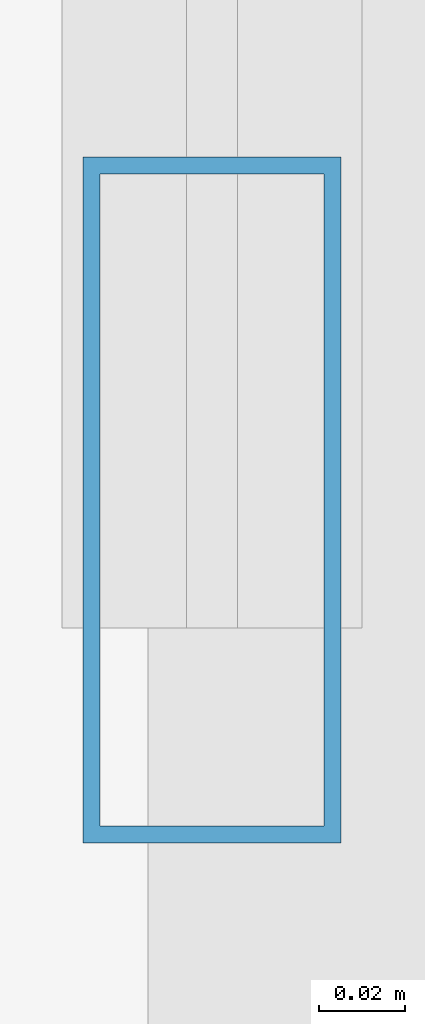
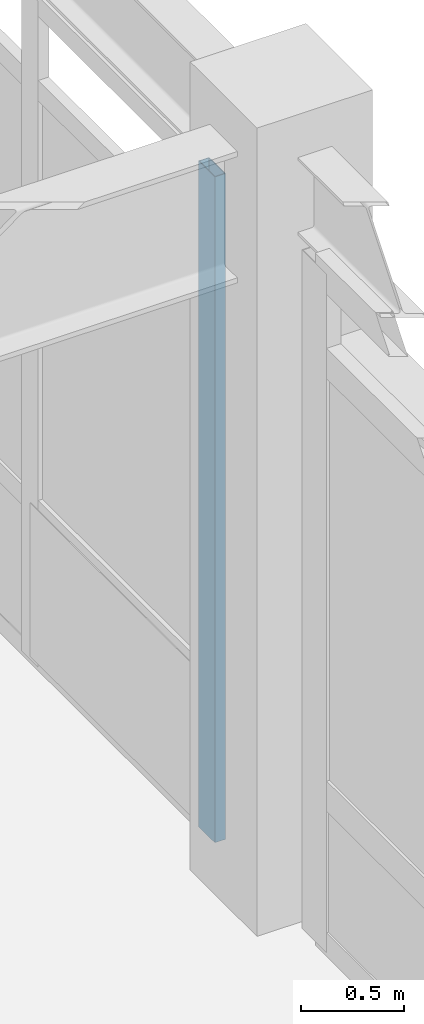
# One storey, part 150 of 200: 1 member, 1 element without a shape of its own.
"""IFC4 building model written with IfcOpenShell, lengths in metres."""

from ifc_helpers import new_model, si_unit, direction, frame, origin, origin_2d, place, context, subcontext, project, spatial, hollow_rectangle, extrude, material, material_profile, profile_set, type_object, element, aggregate, save


model = new_model("IFC4")

# Units and contexts
model_context = context("Model", 3, precision=1e-05, world=origin(), true_north=direction((0.0, 1.0)))
body_context = subcontext(model_context, "Body", "Model", "MODEL_VIEW")
ifc_project = project(units=[si_unit("LENGTHUNIT", "METRE"), si_unit("AREAUNIT", "SQUARE_METRE"), si_unit("VOLUMEUNIT", "CUBIC_METRE"), si_unit("PLANEANGLEUNIT", "RADIAN"), si_unit("MASSUNIT", "GRAM", prefix="KILO"), si_unit("THERMODYNAMICTEMPERATUREUNIT", "KELVIN"), si_unit("POWERUNIT", "WATT")], contexts=[model_context])

# Site, building, storey
site_placement = place(None, origin())
site = spatial("IfcSite", under=ifc_project, at=site_placement, CompositionType="ELEMENT")
building_placement = place(site_placement, origin())
building = spatial("IfcBuilding", under=site, at=building_placement, Name="Tepalcoro Natatorium and Aquatics Centre", CompositionType="ELEMENT")
storey_placement = place(building_placement, frame((0.0, 0.0, 5.39990234375)))
storey = spatial("IfcBuildingStorey", under=building, at=storey_placement, Name="L01", CompositionType="ELEMENT", Elevation=5.39990234375)

# Curtain wall, member
ifc_material = material(Name="Bronze-Anodised Extruded Aluminium Alloy EN AW-6063 T6", Category="aluminium")
curtain_wall_type = type_object("IfcCurtainWallType", Name="CW_V1_PLINTH", PredefinedType="USERDEFINED", material=ifc_material)
curtain_wall_placement = place(storey_placement, origin())
curtain_wall = element("IfcCurtainWall", 1, at=curtain_wall_placement, inside=storey, type_object=curtain_wall_type, Name="V5 L01 E Unitised Curtain Wall Bay 4", ObjectType="UNITISED STOREFRONT", PredefinedType="USERDEFINED")
ifc_material_profile = material_profile(ifc_material, hollow_rectangle(XDim=0.06005859375, YDim=0.159912109375, WallThickness=0.00390625, at=origin_2d()), Name="AL60X160X4")
ifc_profile_set = profile_set([ifc_material_profile], Name="Bronze-Anodised Extruded Aluminium Alloy EN AW-6063 T6")
member_type = type_object("IfcMemberType", Name="CW_MUL_60x160", PredefinedType="MULLION", material=ifc_profile_set)
member_placement = place(storey_placement, frame((175.909912109375, 110.52001953125, 0.02001953125), z_axis=(0.0, 0.0, 1.0), x_axis=(1.0, 0.0, 0.0)))
member = element("IfcMember", 2, at=member_placement, type_object=member_type, Name="CW_V1_PLINTH Curtain Wall Mullion", PredefinedType="MULLION", context=body_context, shape_type="SweptSolid", body=[
    extrude(hollow_rectangle(XDim=0.06005859375, YDim=0.159912109375, WallThickness=0.00390625, at=origin_2d()), origin(), (0.0, 0.0, 1.0), 3.9541015625),
])
aggregate(curtain_wall, [member])

save(model, "model.ifc")
